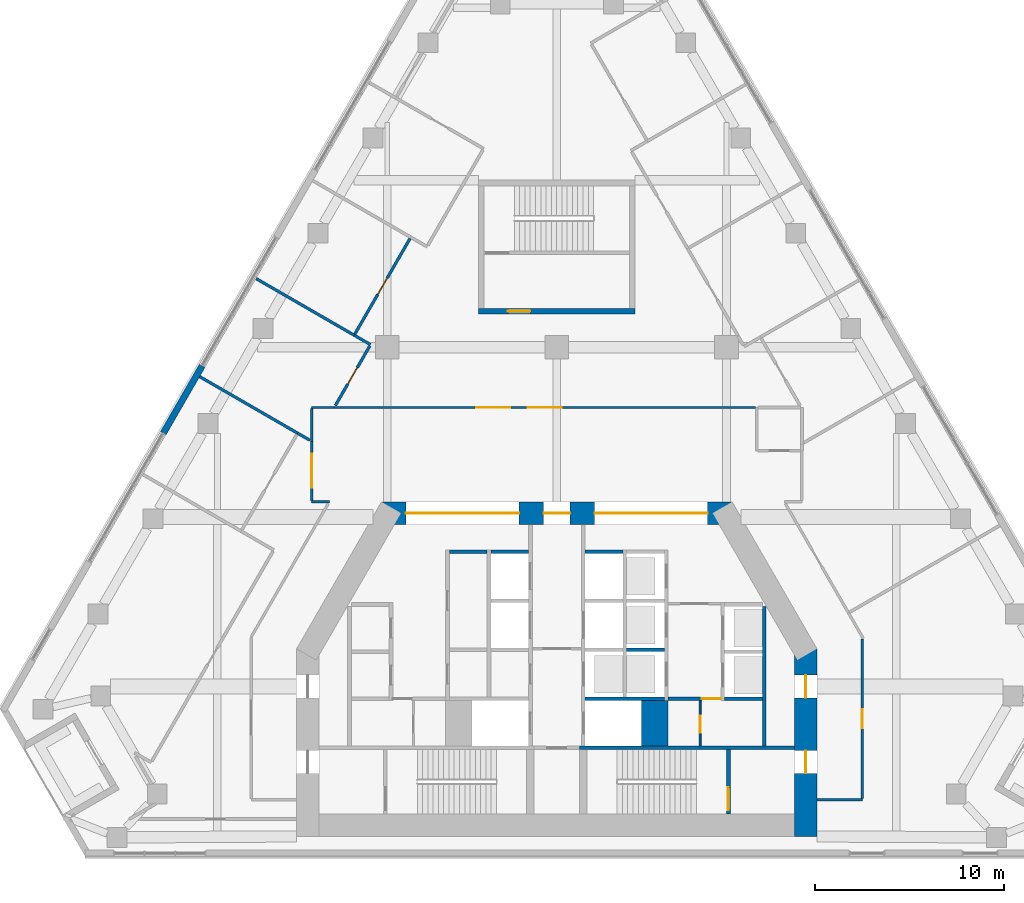
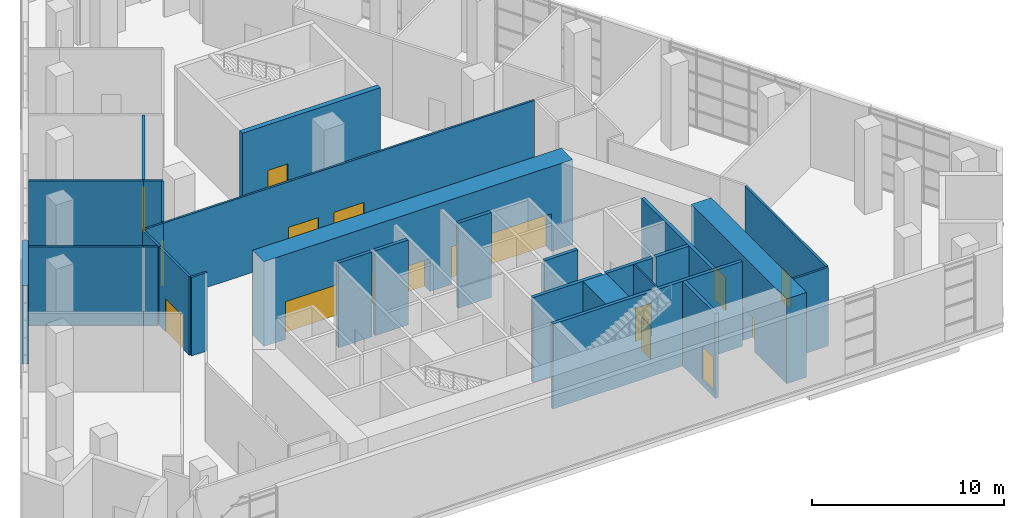
# One storey, part 14 of 18: 29 walls, 15 doors, 15 openings.
"""IFC4 building model written with IfcOpenShell, lengths in metres."""

from ifc_helpers import new_model, si_unit, direction, frame, frame_2d, origin, place, context, subcontext, project, spatial, rectangle, extrude, material, layer, layer_set, type_object, element, fill, save


model = new_model("IFC4")

# Units and contexts
model_context = context("Model", 3, precision=1e-05, world=origin(), true_north=direction((0.0, 1.0)))
body_context = subcontext(model_context, "Body", "Model", "MODEL_VIEW")
ifc_project = project(units=[si_unit("LENGTHUNIT", "METRE"), si_unit("AREAUNIT", "SQUARE_METRE"), si_unit("VOLUMEUNIT", "CUBIC_METRE"), si_unit("PLANEANGLEUNIT", "RADIAN"), si_unit("MASSUNIT", "GRAM", prefix="KILO")], contexts=[model_context])

# Site, building, storey
site_placement = place(None, origin())
site = spatial("IfcSite", under=ifc_project, at=site_placement, CompositionType="ELEMENT")
building_placement = place(site_placement, origin())
building = spatial("IfcBuilding", under=site, at=building_placement, Name="Fogline Exchange Tower", CompositionType="ELEMENT")
storey_placement = place(building_placement, frame((0.0, 0.0, 137.5)))
storey = spatial("IfcBuildingStorey", under=building, at=storey_placement, Name="L30", CompositionType="ELEMENT", Elevation=137.5)

# Wall, opening, door
ifc_material_1 = material(Name="Blockwork partition", Category="masonry")
ifc_layer_1 = layer(ifc_material_1, 0.10009765625)
ifc_layer_set_1 = layer_set([ifc_layer_1], Name="CW10")
wall_type_1 = type_object("IfcWallType", Name="CW10", PredefinedType="PARTITIONING", material=ifc_layer_set_1)
wall_1_placement = place(storey_placement, frame((7.60009765625, 5.85009765625, 0.0), z_axis=(0.0, 0.0, 1.0), x_axis=(0.0, 1.0, 0.0)))
wall_1 = element("IfcWall", 1, at=wall_1_placement, inside=storey, type_object=wall_type_1, Name="WC partition", PredefinedType="PARTITIONING", context=body_context, shape_type="SweptSolid", body=[
    extrude(rectangle(XDim=2.39990234375, YDim=0.10009765625, at=frame_2d((1.199951171875, 0.0))), origin(), (0.0, 0.0, 1.0), 5.0),
])
opening_1_placement = place(wall_1_placement, frame((0.699951171875, 0.0, 0.0)))
opening_1 = element("IfcOpeningElement", 2, at=opening_1_placement, cuts=wall_1, Name="Opening T09-C014", PredefinedType="OPENING", context=body_context, shape_type="SweptSolid", body=[
    extrude(rectangle(XDim=0.89990234375, YDim=2.10009765625, at=frame_2d((0.449951171875, 1.050048828125))), frame((0.0, 0.06005859375, 0.0), z_axis=(0.0, -1.0, 0.0), x_axis=(1.0, 0.0, 0.0)), (0.0, 0.0, 1.0), 0.1201171875),
])
ifc_material_2 = material(Name="Steel and timber fire door", Category="steel")
door_type_1 = type_object("IfcDoorType", Name="D-CS1", OperationType="SINGLE_SWING_RIGHT", PredefinedType="DOOR", material=ifc_material_2)
door_1_placement = place(opening_1_placement, origin())
door_1 = element("IfcDoor", 3, at=door_1_placement, inside=storey, type_object=door_type_1, Name="Door to Cleaner's Store", OperationType="SINGLE_SWING_LEFT", OverallHeight=2.10009765625, OverallWidth=0.89990234375, PredefinedType="DOOR", context=body_context, shape_type="SweptSolid", body=[
    extrude(rectangle(XDim=0.89990234375, YDim=2.10009765625, at=frame_2d((0.449951171875, 1.050048828125))), frame((0.0, 0.02490234375, 0.0), z_axis=(0.0, -1.0, 0.0), x_axis=(1.0, 0.0, 0.0)), (0.0, 0.0, 1.0), 0.050048828125),
])
fill(opening_1, door_1)

# Walls
ifc_material_3 = material(Name="Concrete C60", Category="concrete")
ifc_layer_2 = layer(ifc_material_3, 1.39990234375)
ifc_layer_set_2 = layer_set([ifc_layer_2], Name="CW140")
wall_type_2 = type_object("IfcWallType", Name="CW140", PredefinedType="SOLIDWALL", material=ifc_layer_set_2)
wall_2_placement = place(storey_placement, frame((5.199951171875, 5.85009765625, -0.39990234375), z_axis=(0.0, 0.0, 1.0), x_axis=(0.0, 1.0, 0.0)))
element("IfcWall", 4, at=wall_2_placement, inside=storey, type_object=wall_type_2, Name="Lift shaft block wall", PredefinedType="SOLIDWALL", context=body_context, shape_type="SweptSolid", body=[
    extrude(rectangle(XDim=2.39990234375, YDim=1.39990234375, at=frame_2d((1.199951171875, 0.0))), origin(), (0.0, 0.0, 1.0), 5.39990234375),
])
ifc_material_4 = material(Name="Concrete C40", Category="concrete")
ifc_layer_3 = layer(ifc_material_4, 0.199951171875)
ifc_layer_set_3 = layer_set([ifc_layer_3], Name="CW20")
wall_type_3 = type_object("IfcWallType", Name="CW20", PredefinedType="SOLIDWALL", material=ifc_layer_set_3)
wall_3_placement = place(storey_placement, frame((11.0, 5.85009765625, 0.0), z_axis=(0.0, 0.0, 1.0), x_axis=(0.0, 1.0, 0.0)))
element("IfcWall", 5, at=wall_3_placement, inside=storey, type_object=wall_type_3, Name="Service room wall", PredefinedType="SOLIDWALL", context=body_context, shape_type="SweptSolid", body=[
    extrude(rectangle(XDim=7.39990234375, YDim=0.199951171875, at=frame_2d((3.699951171875, 0.0))), origin(), (0.0, 0.0, 1.0), 5.0),
])

# Wall, opening, door
wall_4_placement = place(storey_placement, frame((5.89990234375, 8.35009765625, 0.0), z_axis=(0.0, 0.0, 1.0), x_axis=(1.0, 0.0, 0.0)))
wall_4 = element("IfcWall", 6, at=wall_4_placement, inside=storey, type_object=wall_type_3, Name="WC wall", PredefinedType="SOLIDWALL", context=body_context, shape_type="SweptSolid", body=[
    extrude(rectangle(XDim=2.800048828125, YDim=0.199951171875, at=frame_2d((1.39990234375, 0.0))), origin(), (0.0, 0.0, 1.0), 5.0),
])
opening_2_placement = place(wall_4_placement, frame((1.800048828125, 0.0, 0.0)))
opening_2 = element("IfcOpeningElement", 7, at=opening_2_placement, cuts=wall_4, Name="Opening T09-C013", PredefinedType="OPENING", context=body_context, shape_type="SweptSolid", body=[
    extrude(rectangle(XDim=1.0, YDim=2.10009765625, at=frame_2d((0.5, 1.050048828125))), frame((0.0, 0.10986328125, 0.0), z_axis=(0.0, -1.0, 0.0), x_axis=(1.0, 0.0, 0.0)), (0.0, 0.0, 1.0), 0.219970703125),
])
door_type_2 = type_object("IfcDoorType", Name="D-WC1", OperationType="SINGLE_SWING_LEFT", PredefinedType="DOOR", material=ifc_material_2)
door_2_placement = place(opening_2_placement, frame((1.0, 0.0, 0.0), z_axis=(0.0, 0.0, 1.0), x_axis=(-1.0, 0.0, 0.0)))
door_2 = element("IfcDoor", 8, at=door_2_placement, inside=storey, type_object=door_type_2, Name="Door to Women's WC", OperationType="SINGLE_SWING_LEFT", OverallHeight=2.10009765625, OverallWidth=1.0, PredefinedType="DOOR", context=body_context, shape_type="SweptSolid", body=[
    extrude(rectangle(XDim=1.0, YDim=2.10009765625, at=frame_2d((0.5, 1.050048828125))), frame((0.0, 0.02490234375, 0.0), z_axis=(0.0, -1.0, 0.0), x_axis=(1.0, 0.0, 0.0)), (0.0, 0.0, 1.0), 0.050048828125),
])
fill(opening_2, door_2)

# Wall
ifc_layer_4 = layer(ifc_material_4, 0.199951171875)
ifc_layer_set_4 = layer_set([ifc_layer_4], Name="CW20R")
wall_type_4 = type_object("IfcWallType", Name="CW20R", PredefinedType="SOLIDWALL", material=ifc_layer_set_4)
wall_5_placement = place(storey_placement, frame((1.199951171875, 5.75, -0.39990234375), z_axis=(0.0, 0.0, 1.0), x_axis=(1.0, 0.0, 0.0)))
element("IfcWall", 9, at=wall_5_placement, inside=storey, type_object=wall_type_4, Name="Stair enclosure wall", PredefinedType="SOLIDWALL", context=body_context, shape_type="SweptSolid", body=[
    extrude(rectangle(XDim=11.400146484375, YDim=0.199951171875, at=frame_2d((5.7001953125, 0.0))), origin(), (0.0, 0.0, 1.0), 5.39990234375),
])

# Wall, opening, door
wall_6_placement = place(storey_placement, frame((9.10009765625, 2.25, -0.39990234375), z_axis=(0.0, 0.0, 1.0), x_axis=(0.0, 1.0, 0.0)))
wall_6 = element("IfcWall", 10, at=wall_6_placement, inside=storey, type_object=wall_type_4, Name="Stair enclosure wall", PredefinedType="SOLIDWALL", context=body_context, shape_type="SweptSolid", body=[
    extrude(rectangle(XDim=3.39990234375, YDim=0.199951171875, at=frame_2d((1.699951171875, 0.0))), origin(), (0.0, 0.0, 1.0), 5.39990234375),
])
opening_3_placement = place(wall_6_placement, frame((0.199951171875, 0.0, 0.39990234375)))
opening_3 = element("IfcOpeningElement", 11, at=opening_3_placement, cuts=wall_6, Name="Opening T09-C016", PredefinedType="OPENING", context=body_context, shape_type="SweptSolid", body=[
    extrude(rectangle(XDim=1.199951171875, YDim=2.10009765625, at=frame_2d((0.60009765625, 1.050048828125))), frame((0.0, 0.10986328125, 0.0), z_axis=(0.0, -1.0, 0.0), x_axis=(1.0, 0.0, 0.0)), (0.0, 0.0, 1.0), 0.219970703125),
])
door_type_3 = type_object("IfcDoorType", Name="D-ST1", OperationType="SINGLE_SWING_LEFT", PredefinedType="DOOR", material=ifc_material_2)
door_3_placement = place(opening_3_placement, origin())
door_3 = element("IfcDoor", 12, at=door_3_placement, inside=storey, type_object=door_type_3, Name="Stair door ST2", OperationType="SINGLE_SWING_LEFT", OverallHeight=2.10009765625, OverallWidth=1.199951171875, PredefinedType="DOOR", context=body_context, shape_type="SweptSolid", body=[
    extrude(rectangle(XDim=1.199951171875, YDim=2.10009765625, at=frame_2d((0.60009765625, 1.050048828125))), frame((0.0, 0.02490234375, 0.0), z_axis=(0.0, -1.0, 0.0), x_axis=(1.0, 0.0, 0.0)), (0.0, 0.0, 1.0), 0.050048828125),
])
fill(opening_3, door_3)

# Walls
ifc_layer_5 = layer(ifc_material_4, 0.199951171875)
ifc_layer_set_5 = layer_set([ifc_layer_5], Name="CW20S")
wall_type_5 = type_object("IfcWallType", Name="CW20S", PredefinedType="SOLIDWALL", material=ifc_layer_set_5)
wall_7_placement = place(storey_placement, frame((8.89990234375, 8.35009765625, -0.39990234375), z_axis=(0.0, 0.0, 1.0), x_axis=(1.0, 0.0, 0.0)))
element("IfcWall", 13, at=wall_7_placement, inside=storey, type_object=wall_type_5, Name="Lift shaft wall", PredefinedType="SOLIDWALL", context=body_context, shape_type="SweptSolid", body=[
    extrude(rectangle(XDim=2.0, YDim=0.199951171875, at=frame_2d((1.0, 0.0))), origin(), (0.0, 0.0, 1.0), 5.39990234375),
])
wall_8_placement = place(storey_placement, frame((1.5, 8.35009765625, -0.39990234375), z_axis=(0.0, 0.0, 1.0), x_axis=(1.0, 0.0, 0.0)))
element("IfcWall", 14, at=wall_8_placement, inside=storey, type_object=wall_type_5, Name="Lift shaft wall", PredefinedType="SOLIDWALL", context=body_context, shape_type="SweptSolid", body=[
    extrude(rectangle(XDim=4.199951171875, YDim=0.199951171875, at=frame_2d((2.10009765625, 0.0))), origin(), (0.0, 0.0, 1.0), 5.39990234375),
])
for number, where, z_axis, x_axis, name in (
    (15, (-5.699951171875, 16.14990234375, -0.39990234375), (0.0, 0.0, 1.0), (1.0, 0.0, 0.0), "Lift shaft wall"),
    (16, (-3.5, 16.14990234375, -0.39990234375), (0.0, 0.0, 1.0), (1.0, 0.0, 0.0), "Lift shaft wall"),
    (17, (3.699951171875, 10.949951171875, -0.39990234375), (0.0, 0.0, 1.0), (1.0, 0.0, 0.0), "Lift shaft wall"),
    (18, (1.5, 16.14990234375, -0.39990234375), (0.0, 0.0, 1.0), (1.0, 0.0, 0.0), "Lift shaft wall"),
):
    element("IfcWall", number, at=place(storey_placement, frame(where, z_axis=z_axis, x_axis=x_axis)), inside=storey, type_object=wall_type_5, Name=name, PredefinedType="SOLIDWALL", context=body_context, shape_type="SweptSolid", body=[
        extrude(rectangle(XDim=2.0, YDim=0.199951171875, at=frame_2d((1.0, 0.0))), origin(), (0.0, 0.0, 1.0), 5.39990234375),
    ])

# Wall, opening, door
ifc_layer_6 = layer(ifc_material_4, 0.300048828125)
ifc_layer_set_6 = layer_set([ifc_layer_6], Name="CW30")
wall_type_6 = type_object("IfcWallType", Name="CW30", PredefinedType="SOLIDWALL", material=ifc_layer_set_6)
wall_9_placement = place(storey_placement, frame((-4.14990234375, 28.906982421875, -0.39990234375), z_axis=(0.0, 0.0, 1.0), x_axis=(1.0, 0.0, 0.0)))
wall_9 = element("IfcWall", 19, at=wall_9_placement, inside=storey, type_object=wall_type_6, Name="Stair enclosure wall ST3", PredefinedType="SOLIDWALL", context=body_context, shape_type="SweptSolid", body=[
    extrude(rectangle(XDim=8.2998046875, YDim=0.300048828125, at=frame_2d((4.14990234375, 0.0))), origin(), (0.0, 0.0, 1.0), 5.39990234375),
])
opening_4_placement = place(wall_9_placement, frame((1.550048828125, 0.0, 0.39990234375)))
opening_4 = element("IfcOpeningElement", 20, at=opening_4_placement, cuts=wall_9, Name="Opening T09-C022", PredefinedType="OPENING", context=body_context, shape_type="SweptSolid", body=[
    extrude(rectangle(XDim=1.199951171875, YDim=2.10009765625, at=frame_2d((0.60009765625, 1.050048828125))), frame((0.0, 0.16015625, 0.0), z_axis=(0.0, -1.0, 0.0), x_axis=(1.0, 0.0, 0.0)), (0.0, 0.0, 1.0), 0.320068359375),
])
door_type_4 = type_object("IfcDoorType", Name="D-FR1", OperationType="SINGLE_SWING_RIGHT", PredefinedType="DOOR", material=ifc_material_2)
door_4_placement = place(opening_4_placement, origin())
door_4 = element("IfcDoor", 21, at=door_4_placement, inside=storey, type_object=door_type_4, Name="Front room door ST3", OperationType="SINGLE_SWING_LEFT", OverallHeight=2.10009765625, OverallWidth=1.199951171875, PredefinedType="DOOR", context=body_context, shape_type="SweptSolid", body=[
    extrude(rectangle(XDim=1.199951171875, YDim=2.10009765625, at=frame_2d((0.60009765625, 1.050048828125))), frame((0.0, 0.02490234375, 0.0), z_axis=(0.0, -1.0, 0.0), x_axis=(1.0, 0.0, 0.0)), (0.0, 0.0, 1.0), 0.050048828125),
])
fill(opening_4, door_4)

# Wall
ifc_material_5 = material(Name="Brick masonry", Category="masonry")
ifc_layer_7 = layer(ifc_material_5, 0.340087890625)
ifc_layer_set_7 = layer_set([ifc_layer_7], Name="FW1")
wall_type_7 = type_object("IfcWallType", Name="FW1", PredefinedType="SOLIDWALL", material=ifc_layer_set_7)
wall_10_placement = place(storey_placement, frame((-18.81103515625, 26.00439453125, 0.0), z_axis=(0.0, 0.0, 1.0), x_axis=(-0.499974107589, -0.866040352259, 0.0)))
element("IfcWall", 22, at=wall_10_placement, inside=storey, type_object=wall_type_7, Name="Brick wall L30 W bay 4", PredefinedType="SOLIDWALL", context=body_context, shape_type="SweptSolid", body=[
    extrude(rectangle(XDim=4.114990234375, YDim=0.340087890625, at=frame_2d((2.0576171875, 0.0))), origin(), (0.0, 0.0, 1.0), 5.0),
])

# Wall, opening, door
ifc_material_6 = material(Name="Plasterboard corridor partition with mineral wool, 2 layers each side")
ifc_layer_8 = layer(ifc_material_6, 0.125)
ifc_layer_set_8 = layer_set([ifc_layer_8], Name="PW2")
wall_type_8 = type_object("IfcWallType", Name="PW2", PredefinedType="PARTITIONING", material=ifc_layer_set_8)
wall_11_placement = place(storey_placement, frame((16.199951171875, 11.51708984375, 0.0), z_axis=(0.0, 0.0, 1.0), x_axis=(0.0, -1.0, 0.0)))
wall_11 = element("IfcWall", 23, at=wall_11_placement, inside=storey, type_object=wall_type_8, Name="wall-L30-W002", PredefinedType="PARTITIONING", context=body_context, shape_type="SweptSolid", body=[
    extrude(rectangle(XDim=8.45458984375, YDim=0.125, at=frame_2d((4.227294921875, 0.0))), origin(), (0.0, 0.0, 1.0), 5.0),
])
opening_5_placement = place(wall_11_placement, frame((3.727294921875, 0.0, 0.0)))
opening_5 = element("IfcOpeningElement", 24, at=opening_5_placement, cuts=wall_11, Name="Opening T09-D001", PredefinedType="OPENING", context=body_context, shape_type="SweptSolid", body=[
    extrude(rectangle(XDim=1.0, YDim=2.10009765625, at=frame_2d((0.5, 1.050048828125))), frame((0.0, 0.072509765625, 0.0), z_axis=(0.0, -1.0, 0.0), x_axis=(1.0, 0.0, 0.0)), (0.0, 0.0, 1.0), 0.14501953125),
])
ifc_material_7 = material(Name="Fire-rated timber door leaf with steel frame", Category="steel")
door_type_5 = type_object("IfcDoorType", Name="D3", OperationType="SINGLE_SWING_LEFT", PredefinedType="DOOR", material=ifc_material_7)
door_5_placement = place(opening_5_placement, origin())
door_5 = element("IfcDoor", 25, at=door_5_placement, inside=storey, type_object=door_type_5, Name="door-L30-D001", OperationType="SINGLE_SWING_LEFT", OverallHeight=2.10009765625, OverallWidth=1.0, PredefinedType="DOOR", context=body_context, shape_type="SweptSolid", body=[
    extrude(rectangle(XDim=1.0, YDim=2.10009765625, at=frame_2d((0.5, 1.050048828125))), frame((0.0, 0.02490234375, 0.0), z_axis=(0.0, -1.0, 0.0), x_axis=(1.0, 0.0, 0.0)), (0.0, 0.0, 1.0), 0.050048828125),
])
fill(opening_5, door_5)

# Wall
wall_12_placement = place(storey_placement, frame((16.199951171875, 3.0, 0.0), z_axis=(0.0, 0.0, 1.0), x_axis=(-1.0, 0.0, 0.0)))
element("IfcWall", 26, at=wall_12_placement, inside=storey, type_object=wall_type_8, Name="wall-L30-W003", PredefinedType="PARTITIONING", context=body_context, shape_type="SweptSolid", body=[
    extrude(rectangle(XDim=2.39990234375, YDim=0.125, at=frame_2d((1.199951171875, 0.0))), origin(), (0.0, 0.0, 1.0), 5.0),
])

# Wall, openings, doors
wall_13_placement = place(storey_placement, frame((-11.804443359375, 23.800048828125, 0.0), z_axis=(0.0, 0.0, 1.0), x_axis=(1.0, 0.0, 0.0)))
wall_13 = element("IfcWall", 27, at=wall_13_placement, inside=storey, type_object=wall_type_8, Name="wall-L30-W007", PredefinedType="PARTITIONING", context=body_context, shape_type="SweptSolid", body=[
    extrude(rectangle(XDim=22.341552734375, YDim=0.125, at=frame_2d((11.1708984375, 0.0))), origin(), (0.0, 0.0, 1.0), 5.0),
])
opening_6_placement = place(wall_13_placement, frame((7.537841796875, 0.0, 0.0)))
opening_6 = element("IfcOpeningElement", 28, at=opening_6_placement, cuts=wall_13, Name="Opening T09-D004", PredefinedType="OPENING", context=body_context, shape_type="SweptSolid", body=[
    extrude(rectangle(XDim=1.800048828125, YDim=2.10009765625, at=frame_2d((0.89990234375, 1.050048828125))), frame((0.0, 0.072509765625, 0.0), z_axis=(0.0, -1.0, 0.0), x_axis=(1.0, 0.0, 0.0)), (0.0, 0.0, 1.0), 0.14501953125),
])
opening_7_placement = place(wall_13_placement, frame((10.270751953125, 0.0, 0.0)))
opening_7 = element("IfcOpeningElement", 29, at=opening_7_placement, cuts=wall_13, Name="Opening T09-D005", PredefinedType="OPENING", context=body_context, shape_type="SweptSolid", body=[
    extrude(rectangle(XDim=1.800048828125, YDim=2.10009765625, at=frame_2d((0.89990234375, 1.050048828125))), frame((0.0, 0.072509765625, 0.0), z_axis=(0.0, -1.0, 0.0), x_axis=(1.0, 0.0, 0.0)), (0.0, 0.0, 1.0), 0.14501953125),
])
ifc_material_8 = material(Name="Fire-rated timber door leaves with steel frame", Category="steel")
door_type_6 = type_object("IfcDoorType", Name="D4", OperationType="DOUBLE_DOOR_SINGLE_SWING", PredefinedType="DOOR", material=ifc_material_8)
door_6_placement = place(opening_6_placement, frame((1.800048828125, 0.0, 0.0), z_axis=(0.0, 0.0, 1.0), x_axis=(-1.0, 0.0, 0.0)))
door_6 = element("IfcDoor", 30, at=door_6_placement, inside=storey, type_object=door_type_6, Name="door-L30-D004", OperationType="DOUBLE_DOOR_SINGLE_SWING", OverallHeight=2.10009765625, OverallWidth=1.800048828125, PredefinedType="DOOR", context=body_context, shape_type="SweptSolid", body=[
    extrude(rectangle(XDim=1.800048828125, YDim=2.10009765625, at=frame_2d((0.89990234375, 1.050048828125))), frame((0.0, 0.02490234375, 0.0), z_axis=(0.0, -1.0, 0.0), x_axis=(1.0, 0.0, 0.0)), (0.0, 0.0, 1.0), 0.050048828125),
])
fill(opening_6, door_6)
door_7_placement = place(opening_7_placement, frame((1.800048828125, 0.0, 0.0), z_axis=(0.0, 0.0, 1.0), x_axis=(-1.0, 0.0, 0.0)))
door_7 = element("IfcDoor", 31, at=door_7_placement, inside=storey, type_object=door_type_6, Name="door-L30-D005", OperationType="DOUBLE_DOOR_SINGLE_SWING", OverallHeight=2.10009765625, OverallWidth=1.800048828125, PredefinedType="DOOR", context=body_context, shape_type="SweptSolid", body=[
    extrude(rectangle(XDim=1.800048828125, YDim=2.10009765625, at=frame_2d((0.89990234375, 1.050048828125))), frame((0.0, 0.02490234375, 0.0), z_axis=(0.0, -1.0, 0.0), x_axis=(1.0, 0.0, 0.0)), (0.0, 0.0, 1.0), 0.050048828125),
])
fill(opening_7, door_7)

# Walls
wall_14_placement = place(storey_placement, frame((-13.0, 22.005615234375, 0.0), z_axis=(0.0, 0.0, 1.0), x_axis=(0.0, 1.0, 0.0)))
element("IfcWall", 32, at=wall_14_placement, inside=storey, type_object=wall_type_8, Name="wall-L30-W008", PredefinedType="PARTITIONING", context=body_context, shape_type="SweptSolid", body=[
    extrude(rectangle(XDim=1.73193359375, YDim=0.125, at=frame_2d((0.865966796875, 0.0))), origin(), (0.0, 0.0, 1.0), 5.0),
])
wall_15_placement = place(storey_placement, frame((-13.0, 23.800048828125, 0.0), z_axis=(0.0, 0.0, 1.0), x_axis=(1.0, 0.0, 0.0)))
element("IfcWall", 33, at=wall_15_placement, inside=storey, type_object=wall_type_8, Name="wall-L30-W009", PredefinedType="PARTITIONING", context=body_context, shape_type="SweptSolid", body=[
    extrude(rectangle(XDim=1.195556640625, YDim=0.125, at=frame_2d((0.59765625, 0.0))), origin(), (0.0, 0.0, 1.0), 5.0),
])
wall_16_placement = place(storey_placement, frame((-12.0673828125, 18.800048828125, 0.0), z_axis=(0.0, 0.0, 1.0), x_axis=(-1.0, 0.0, 0.0)))
element("IfcWall", 34, at=wall_16_placement, inside=storey, type_object=wall_type_8, Name="wall-L30-W010", PredefinedType="PARTITIONING", context=body_context, shape_type="SweptSolid", body=[
    extrude(rectangle(XDim=0.9326171875, YDim=0.125, at=frame_2d((0.46630859375, 0.0))), origin(), (0.0, 0.0, 1.0), 5.0),
])

# Wall, opening, door
wall_17_placement = place(storey_placement, frame((-13.0, 18.862548828125, 0.0), z_axis=(0.0, 0.0, 1.0), x_axis=(0.0, 1.0, 0.0)))
wall_17 = element("IfcWall", 35, at=wall_17_placement, inside=storey, type_object=wall_type_8, Name="wall-L30-W011", PredefinedType="PARTITIONING", context=body_context, shape_type="SweptSolid", body=[
    extrude(rectangle(XDim=3.14306640625, YDim=0.125, at=frame_2d((1.571533203125, 0.0))), origin(), (0.0, 0.0, 1.0), 5.0),
])
opening_8_placement = place(wall_17_placement, frame((0.671630859375, 0.0, 0.0)))
opening_8 = element("IfcOpeningElement", 36, at=opening_8_placement, cuts=wall_17, Name="Opening T09-D006", PredefinedType="OPENING", context=body_context, shape_type="SweptSolid", body=[
    extrude(rectangle(XDim=1.800048828125, YDim=2.10009765625, at=frame_2d((0.89990234375, 1.050048828125))), frame((0.0, 0.072509765625, 0.0), z_axis=(0.0, -1.0, 0.0), x_axis=(1.0, 0.0, 0.0)), (0.0, 0.0, 1.0), 0.14501953125),
])
door_8_placement = place(opening_8_placement, frame((1.800048828125, 0.0, 0.0), z_axis=(0.0, 0.0, 1.0), x_axis=(-1.0, 0.0, 0.0)))
door_8 = element("IfcDoor", 37, at=door_8_placement, inside=storey, type_object=door_type_6, Name="door-L30-D006", OperationType="DOUBLE_DOOR_SINGLE_SWING", OverallHeight=2.10009765625, OverallWidth=1.800048828125, PredefinedType="DOOR", context=body_context, shape_type="SweptSolid", body=[
    extrude(rectangle(XDim=1.800048828125, YDim=2.10009765625, at=frame_2d((0.89990234375, 1.050048828125))), frame((0.0, 0.02490234375, 0.0), z_axis=(0.0, -1.0, 0.0), x_axis=(1.0, 0.0, 0.0)), (0.0, 0.0, 1.0), 0.050048828125),
])
fill(opening_8, door_8)

ifc_material_9 = material(Name="Plasterboard demising partition with mineral wool and acoustic board")
ifc_layer_9 = layer(ifc_material_9, 0.14990234375)
ifc_layer_set_9 = layer_set([ifc_layer_9], Name="PW3")
wall_type_9 = type_object("IfcWallType", Name="PW3", PredefinedType="PARTITIONING", material=ifc_layer_set_9)
wall_18_placement = place(storey_placement, frame((-10.708740234375, 27.69775390625, 0.0), z_axis=(0.0, 0.0, 1.0), x_axis=(0.500012662943, 0.866018092707, 0.0)))
wall_18 = element("IfcWall", 38, at=wall_18_placement, inside=storey, type_object=wall_type_9, Name="wall-L30-W043", PredefinedType="PARTITIONING", context=body_context, shape_type="SweptSolid", body=[
    extrude(rectangle(XDim=5.849853515625, YDim=0.14990234375, at=frame_2d((2.9248046875, 0.0))), origin(), (0.0, 0.0, 1.0), 5.0),
])
opening_9_placement = place(wall_18_placement, frame((2.425048828125, 0.0, 0.0)))
opening_9 = element("IfcOpeningElement", 39, at=opening_9_placement, cuts=wall_18, Name="Opening T09-D014", PredefinedType="OPENING", context=body_context, shape_type="SweptSolid", body=[
    extrude(rectangle(XDim=1.0, YDim=2.10009765625, at=frame_2d((0.5, 1.050048828125))), frame((0.0, 0.0849609375, 0.0), z_axis=(0.0, -1.0, 0.0), x_axis=(1.0, 0.0, 0.0)), (0.0, 0.0, 1.0), 0.169921875),
])
door_9_placement = place(opening_9_placement, origin())
door_9 = element("IfcDoor", 40, at=door_9_placement, inside=storey, type_object=door_type_5, Name="door-L30-D014", OperationType="SINGLE_SWING_LEFT", OverallHeight=2.10009765625, OverallWidth=1.0, PredefinedType="DOOR", context=body_context, shape_type="SweptSolid", body=[
    extrude(rectangle(XDim=1.0, YDim=2.10009765625, at=frame_2d((0.5, 1.050048828125))), frame((0.0, 0.02490234375, 0.0), z_axis=(0.0, -1.0, 0.0), x_axis=(1.0, 0.0, 0.0)), (0.0, 0.0, 1.0), 0.050048828125),
])
fill(opening_9, door_9)

wall_19_placement = place(storey_placement, frame((-11.746337890625, 23.900390625, 0.0), z_axis=(0.0, 0.0, 1.0), x_axis=(0.500001750229, 0.866024393287, 0.0)))
wall_19 = element("IfcWall", 41, at=wall_19_placement, inside=storey, type_object=wall_type_9, Name="wall-L30-W044", PredefinedType="PARTITIONING", context=body_context, shape_type="SweptSolid", body=[
    extrude(rectangle(XDim=3.6572265625, YDim=0.14990234375, at=frame_2d((1.82861328125, 0.0))), origin(), (0.0, 0.0, 1.0), 5.0),
])
opening_10_placement = place(wall_19_placement, frame((1.32861328125, 0.0, 0.0)))
opening_10 = element("IfcOpeningElement", 42, at=opening_10_placement, cuts=wall_19, Name="Opening T09-D015", PredefinedType="OPENING", context=body_context, shape_type="SweptSolid", body=[
    extrude(rectangle(XDim=1.0, YDim=2.10009765625, at=frame_2d((0.5, 1.050048828125))), frame((0.0, 0.0849609375, 0.0), z_axis=(0.0, -1.0, 0.0), x_axis=(1.0, 0.0, 0.0)), (0.0, 0.0, 1.0), 0.169921875),
])
door_10_placement = place(opening_10_placement, origin())
door_10 = element("IfcDoor", 43, at=door_10_placement, inside=storey, type_object=door_type_5, Name="door-L30-D015", OperationType="SINGLE_SWING_LEFT", OverallHeight=2.10009765625, OverallWidth=1.0, PredefinedType="DOOR", context=body_context, shape_type="SweptSolid", body=[
    extrude(rectangle(XDim=1.0, YDim=2.10009765625, at=frame_2d((0.5, 1.050048828125))), frame((0.0, 0.02490234375, 0.0), z_axis=(0.0, -1.0, 0.0), x_axis=(1.0, 0.0, 0.0)), (0.0, 0.0, 1.0), 0.050048828125),
])
fill(opening_10, door_10)

# Walls
wall_20_placement = place(storey_placement, frame((-9.88037109375, 27.1328125, 0.0), z_axis=(0.0, 0.0, 1.0), x_axis=(-0.866010750942, 0.50002537861, 0.0)))
element("IfcWall", 44, at=wall_20_placement, inside=storey, type_object=wall_type_9, Name="wall-L30-W045", PredefinedType="PARTITIONING", context=body_context, shape_type="SweptSolid", body=[
    extrude(rectangle(XDim=1.0, YDim=0.14990234375, at=frame_2d((0.5, 0.0))), origin(), (0.0, 0.0, 1.0), 5.0),
])
for number, where, z_axis, x_axis, name in (
    (45, (-10.746337890625, 27.6328125, 0.0), (0.0, 0.0, 1.0), (-0.866020924479, 0.500007758305, 0.0), "wall-L30-W048"),
    (46, (-13.746337890625, 22.4365234375, 0.0), (0.0, 0.0, 1.0), (-0.866020924479, 0.500007758305, 0.0), "wall-L30-W049"),
):
    element("IfcWall", number, at=place(storey_placement, frame(where, z_axis=z_axis, x_axis=x_axis)), inside=storey, type_object=wall_type_9, Name=name, PredefinedType="PARTITIONING", context=body_context, shape_type="SweptSolid", body=[
        extrude(rectangle(XDim=6.0, YDim=0.14990234375, at=frame_2d((3.0, 0.0))), origin(), (0.0, 0.0, 1.0), 5.0),
    ])
wall_21_placement = place(storey_placement, frame((-13.100341796875, 22.063720703125, 0.0), z_axis=(0.0, 0.0, 1.0), x_axis=(-0.866120184914, 0.499835798323, 0.0)))
element("IfcWall", 47, at=wall_21_placement, inside=storey, type_object=wall_type_9, Name="wall-L30-W050", PredefinedType="PARTITIONING", context=body_context, shape_type="SweptSolid", body=[
    extrude(rectangle(XDim=0.745849609375, YDim=0.14990234375, at=frame_2d((0.373046875, 0.0))), origin(), (0.0, 0.0, 1.0), 5.0),
])

# Wall, openings, doors
ifc_layer_10 = layer(ifc_material_3, 1.199951171875)
ifc_layer_set_10 = layer_set([ifc_layer_10], Name="SW02")
wall_type_10 = type_object("IfcWallType", Name="SW02", PredefinedType="SHEAR", material=ifc_layer_set_10)
wall_22_placement = place(storey_placement, frame((13.199951171875, 1.050048828125, 0.0), z_axis=(0.0, 0.0, 1.0), x_axis=(0.0, 1.0, 0.0)))
wall_22 = element("IfcWall", 48, at=wall_22_placement, inside=storey, type_object=wall_type_10, Name="L30-W902", PredefinedType="SHEAR", context=body_context, shape_type="SweptSolid", body=[
    extrude(rectangle(XDim=9.948974609375, YDim=1.199951171875, at=frame_2d((4.974609375, 0.0))), origin(), (0.0, 0.0, 1.0), 5.39990234375),
])
opening_11_placement = place(wall_22_placement, frame((3.35009765625, 0.0, 0.0)))
opening_11 = element("IfcOpeningElement", 49, at=opening_11_placement, cuts=wall_22, Name="Opening T09-C015", PredefinedType="OPENING", context=body_context, shape_type="SweptSolid", body=[
    extrude(rectangle(XDim=1.199951171875, YDim=2.10009765625, at=frame_2d((0.60009765625, 1.050048828125))), frame((0.0, 0.60986328125, 0.0), z_axis=(0.0, -1.0, 0.0), x_axis=(1.0, 0.0, 0.0)), (0.0, 0.0, 1.0), 1.219970703125),
])
opening_12_placement = place(wall_22_placement, frame((7.35009765625, 0.0, 0.0)))
opening_12 = element("IfcOpeningElement", 50, at=opening_12_placement, cuts=wall_22, Name="Opening T09-C017", PredefinedType="OPENING", context=body_context, shape_type="SweptSolid", body=[
    extrude(rectangle(XDim=1.199951171875, YDim=2.10009765625, at=frame_2d((0.60009765625, 1.050048828125))), frame((0.0, 0.60986328125, 0.0), z_axis=(0.0, -1.0, 0.0), x_axis=(1.0, 0.0, 0.0)), (0.0, 0.0, 1.0), 1.219970703125),
])
door_11_placement = place(opening_11_placement, origin())
door_11 = element("IfcDoor", 51, at=door_11_placement, inside=storey, type_object=door_type_4, Name="Front room door ST2", OperationType="SINGLE_SWING_RIGHT", OverallHeight=2.10009765625, OverallWidth=1.199951171875, PredefinedType="DOOR", context=body_context, shape_type="SweptSolid", body=[
    extrude(rectangle(XDim=1.199951171875, YDim=2.10009765625, at=frame_2d((0.60009765625, 1.050048828125))), frame((0.0, 0.02490234375, 0.0), z_axis=(0.0, -1.0, 0.0), x_axis=(1.0, 0.0, 0.0)), (0.0, 0.0, 1.0), 0.050048828125),
])
fill(opening_11, door_11)
door_type_7 = type_object("IfcDoorType", Name="D-SV1", OperationType="SINGLE_SWING_LEFT", PredefinedType="DOOR", material=ifc_material_2)
door_12_placement = place(opening_12_placement, origin())
door_12 = element("IfcDoor", 52, at=door_12_placement, inside=storey, type_object=door_type_7, Name="Service door E", OperationType="SINGLE_SWING_RIGHT", OverallHeight=2.10009765625, OverallWidth=1.199951171875, PredefinedType="DOOR", context=body_context, shape_type="SweptSolid", body=[
    extrude(rectangle(XDim=1.199951171875, YDim=2.10009765625, at=frame_2d((0.60009765625, 1.050048828125))), frame((0.0, 0.02490234375, 0.0), z_axis=(0.0, -1.0, 0.0), x_axis=(1.0, 0.0, 0.0)), (0.0, 0.0, 1.0), 0.050048828125),
])
fill(opening_12, door_12)

wall_23_placement = place(storey_placement, frame((9.296142578125, 18.199951171875, 0.0), z_axis=(0.0, 0.0, 1.0), x_axis=(-1.0, 0.0, 0.0)))
wall_23 = element("IfcWall", 53, at=wall_23_placement, inside=storey, type_object=wall_type_10, Name="L30-W904", PredefinedType="SHEAR", context=body_context, shape_type="SweptSolid", body=[
    extrude(rectangle(XDim=18.59228515625, YDim=1.199951171875, at=frame_2d((9.296142578125, 0.0))), origin(), (0.0, 0.0, 1.0), 5.39990234375),
])
opening_13_placement = place(wall_23_placement, frame((8.59619140625, 0.0, 0.0)))
opening_13 = element("IfcOpeningElement", 54, at=opening_13_placement, cuts=wall_23, Name="Opening T09-C019", PredefinedType="OPENING", context=body_context, shape_type="SweptSolid", body=[
    extrude(rectangle(XDim=1.39990234375, YDim=2.10009765625, at=frame_2d((0.699951171875, 1.050048828125))), frame((0.0, 0.60986328125, 0.0), z_axis=(0.0, -1.0, 0.0), x_axis=(1.0, 0.0, 0.0)), (0.0, 0.0, 1.0), 1.219970703125),
])
opening_14_placement = place(wall_23_placement, frame((11.296142578125, 0.0, 0.0)))
opening_14 = element("IfcOpeningElement", 55, at=opening_14_placement, cuts=wall_23, Name="Opening T09-C020", PredefinedType="OPENING", context=body_context, shape_type="SweptSolid", body=[
    extrude(rectangle(XDim=6.0, YDim=2.39990234375, at=frame_2d((3.0, 1.199951171875))), frame((0.0, 0.60986328125, 0.0), z_axis=(0.0, -1.0, 0.0), x_axis=(1.0, 0.0, 0.0)), (0.0, 0.0, 1.0), 1.219970703125),
])
opening_15_placement = place(wall_23_placement, frame((1.296142578125, 0.0, 0.0)))
opening_15 = element("IfcOpeningElement", 56, at=opening_15_placement, cuts=wall_23, Name="Opening T09-C021", PredefinedType="OPENING", context=body_context, shape_type="SweptSolid", body=[
    extrude(rectangle(XDim=6.0, YDim=2.39990234375, at=frame_2d((3.0, 1.199951171875))), frame((0.0, 0.60986328125, 0.0), z_axis=(0.0, -1.0, 0.0), x_axis=(1.0, 0.0, 0.0)), (0.0, 0.0, 1.0), 1.219970703125),
])
door_type_8 = type_object("IfcDoorType", Name="D-LB1", OperationType="DOUBLE_DOOR_SINGLE_SWING", PredefinedType="DOOR", material=ifc_material_2)
door_13_placement = place(opening_13_placement, origin())
door_13 = element("IfcDoor", 57, at=door_13_placement, inside=storey, type_object=door_type_8, Name="Protected lobby door", OperationType="DOUBLE_DOOR_SINGLE_SWING", OverallHeight=2.10009765625, OverallWidth=1.39990234375, PredefinedType="DOOR", context=body_context, shape_type="SweptSolid", body=[
    extrude(rectangle(XDim=1.39990234375, YDim=2.10009765625, at=frame_2d((0.699951171875, 1.050048828125))), frame((0.0, 0.02490234375, 0.0), z_axis=(0.0, -1.0, 0.0), x_axis=(1.0, 0.0, 0.0)), (0.0, 0.0, 1.0), 0.050048828125),
])
fill(opening_13, door_13)
door_type_9 = type_object("IfcDoorType", Name="D-LE1", OperationType="DOUBLE_DOOR_SLIDING", PredefinedType="DOOR", material=ifc_material_2)
door_14_placement = place(opening_14_placement, origin())
door_14 = element("IfcDoor", 58, at=door_14_placement, inside=storey, type_object=door_type_9, Name="Lift lobby entrance west", OperationType="DOUBLE_DOOR_SLIDING", OverallHeight=2.39990234375, OverallWidth=6.0, PredefinedType="DOOR", context=body_context, shape_type="SweptSolid", body=[
    extrude(rectangle(XDim=6.0, YDim=2.39990234375, at=frame_2d((3.0, 1.199951171875))), frame((0.0, 0.02490234375, 0.0), z_axis=(0.0, -1.0, 0.0), x_axis=(1.0, 0.0, 0.0)), (0.0, 0.0, 1.0), 0.050048828125),
])
fill(opening_14, door_14)
door_15_placement = place(opening_15_placement, origin())
door_15 = element("IfcDoor", 59, at=door_15_placement, inside=storey, type_object=door_type_9, Name="Lift lobby entrance east", OperationType="DOUBLE_DOOR_SLIDING", OverallHeight=2.39990234375, OverallWidth=6.0, PredefinedType="DOOR", context=body_context, shape_type="SweptSolid", body=[
    extrude(rectangle(XDim=6.0, YDim=2.39990234375, at=frame_2d((3.0, 1.199951171875))), frame((0.0, 0.02490234375, 0.0), z_axis=(0.0, -1.0, 0.0), x_axis=(1.0, 0.0, 0.0)), (0.0, 0.0, 1.0), 0.050048828125),
])
fill(opening_15, door_15)

save(model, "model.ifc")
